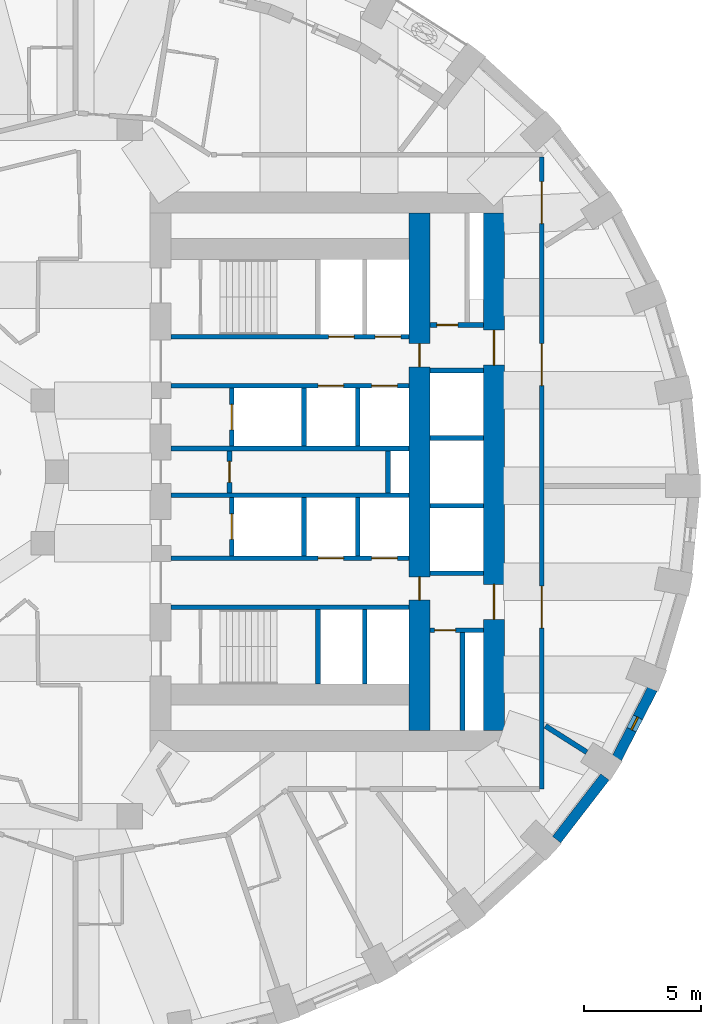
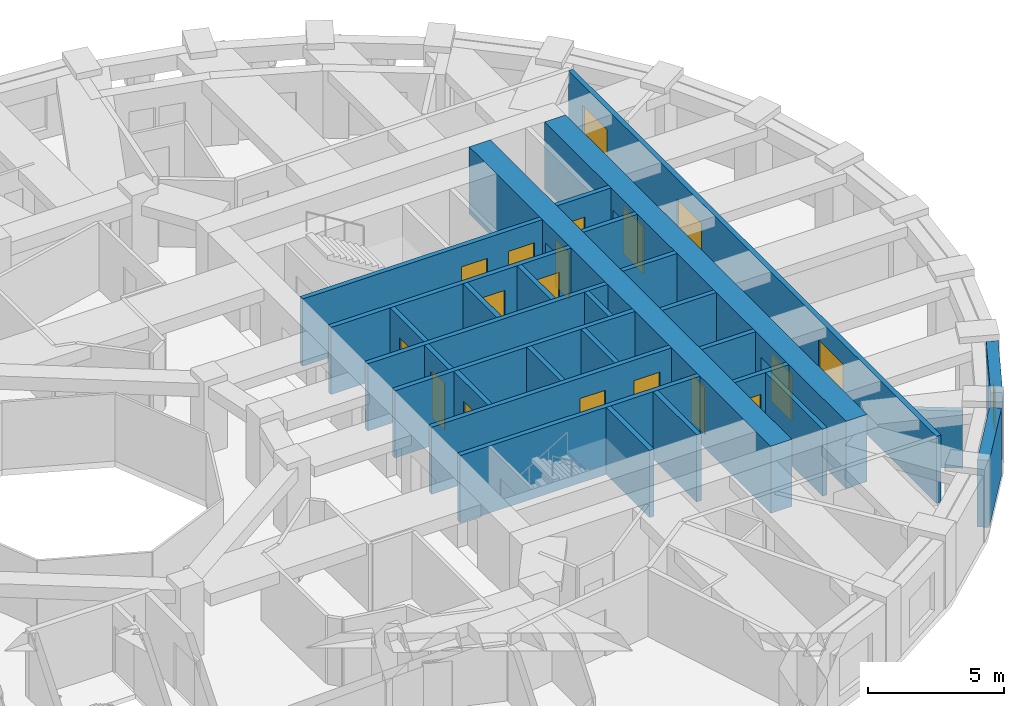
# One storey, part 6 of 12: 29 walls, 18 doors, 1 window, 19 openings.
"""IFC4 building model written with IfcOpenShell, lengths in metres."""

from ifc_helpers import new_model, si_unit, direction, frame, frame_2d, origin, place, context, subcontext, project, spatial, rectangle, extrude, material, layer, layer_set, type_object, element, fill, save


model = new_model("IFC4")

# Units and contexts
model_context = context("Model", 3, precision=1e-05, world=origin(), true_north=direction((0.0, 1.0)))
body_context = subcontext(model_context, "Body", "Model", "MODEL_VIEW")
ifc_project = project(units=[si_unit("LENGTHUNIT", "METRE"), si_unit("AREAUNIT", "SQUARE_METRE"), si_unit("VOLUMEUNIT", "CUBIC_METRE"), si_unit("PLANEANGLEUNIT", "RADIAN"), si_unit("MASSUNIT", "GRAM", prefix="KILO")], contexts=[model_context])

# Site, building, storey
site_placement = place(None, origin())
site = spatial("IfcSite", under=ifc_project, at=site_placement, CompositionType="ELEMENT")
building_placement = place(site_placement, origin())
building = spatial("IfcBuilding", under=site, at=building_placement, Name="Taillehof Tower", CompositionType="ELEMENT")
storey_placement = place(building_placement, frame((0.0, 0.0, 98.800048828125)))
storey = spatial("IfcBuildingStorey", under=building, at=storey_placement, Name="L27", CompositionType="ELEMENT", Elevation=98.800048828125)

# Wall
ifc_material_1 = material(Name="Brick masonry", Category="masonry")
ifc_layer_1 = layer(ifc_material_1, 0.449951171875)
ifc_layer_set_1 = layer_set([ifc_layer_1], Name="Brick infill wall 450")
wall_type_1 = type_object("IfcWallType", Name="Brick infill wall 450", PredefinedType="SOLIDWALL", material=ifc_layer_set_1)
wall_1_placement = place(storey_placement, frame((21.43505859375, -15.775390625, 0.0), z_axis=(0.0, 0.0, 1.0), x_axis=(0.610693945156, 0.791866721961, 0.0)))
element("IfcWall", 1, at=wall_1_placement, inside=storey, type_object=wall_type_1, Name="Brick wall L27 bay 33", PredefinedType="SOLIDWALL", context=body_context, shape_type="SweptSolid", body=[
    extrude(rectangle(XDim=3.39453125, YDim=0.449951171875, at=frame_2d((1.697265625, 0.0))), origin(), (0.0, 0.0, 1.0), 3.02001953125),
])

# Wall, opening, window
wall_2_placement = place(storey_placement, frame((24.022705078125, -12.27685546875, 0.0), z_axis=(0.0, 0.0, 1.0), x_axis=(0.456828186229, 0.889554949549, 0.0)))
wall_2 = element("IfcWall", 2, at=wall_2_placement, inside=storey, type_object=wall_type_1, Name="Brick wall L27 bay 34", PredefinedType="SOLIDWALL", context=body_context, shape_type="SweptSolid", body=[
    extrude(rectangle(XDim=3.332763671875, YDim=0.449951171875, at=frame_2d((1.66650390625, 0.0))), origin(), (0.0, 0.0, 1.0), 3.02001953125),
])
opening_1_placement = place(wall_2_placement, frame((1.366455078125, 0.0, 0.39990234375)))
opening_1 = element("IfcOpeningElement", 3, at=opening_1_placement, cuts=wall_2, Name="Opening W6", PredefinedType="OPENING", context=body_context, shape_type="SweptSolid", body=[
    extrude(rectangle(XDim=0.60009765625, YDim=1.75, at=frame_2d((0.300048828125, 0.875))), frame((0.0, 0.23486328125, 0.0), z_axis=(0.0, -1.0, 0.0), x_axis=(1.0, 0.0, 0.0)), (0.0, 0.0, 1.0), 0.469970703125),
])
ifc_material_2 = material(Name="Aluminium window frame with clear double glazing", Category="aluminium")
window_type = type_object("IfcWindowType", Name="Slot window 600x1750", PartitioningType="SINGLE_PANEL", PredefinedType="WINDOW", material=ifc_material_2)
window_placement = place(opening_1_placement, origin())
window = element("IfcWindow", 4, at=window_placement, inside=storey, type_object=window_type, Name="W6", OverallHeight=1.75, OverallWidth=0.60009765625, PartitioningType="SINGLE_PANEL", PredefinedType="WINDOW", context=body_context, shape_type="SweptSolid", body=[
    extrude(rectangle(XDim=0.60009765625, YDim=1.75, at=frame_2d((0.300048828125, 0.875))), frame((0.0, 0.034912109375, 0.0), z_axis=(0.0, -1.0, 0.0), x_axis=(1.0, 0.0, 0.0)), (0.0, 0.0, 1.0), 0.06005859375),
])
fill(opening_1, window)

# Wall, opening, door
ifc_material_3 = material(Name="Calcium silicate masonry", Category="masonry")
ifc_layer_2 = layer(ifc_material_3, 0.199951171875)
ifc_layer_set_2 = layer_set([ifc_layer_2], Name="Compartment wall calcium silicate 200")
wall_type_2 = type_object("IfcWallType", Name="Compartment wall calcium silicate 200", PredefinedType="PARTITIONING", material=ifc_layer_set_2)
wall_3_placement = place(storey_placement, frame((7.39990234375, -0.89990234375, 0.0), z_axis=(0.0, 0.0, 1.0), x_axis=(0.0, 1.0, 0.0)))
wall_3 = element("IfcWall", 5, at=wall_3_placement, inside=storey, type_object=wall_type_2, Name="Compartment wall FW", PredefinedType="PARTITIONING", context=body_context, shape_type="SweptSolid", body=[
    extrude(rectangle(XDim=1.7998046875, YDim=0.199951171875, at=frame_2d((0.89990234375, 0.0))), origin(), (0.0, 0.0, 1.0), 3.02001953125),
])
opening_2_placement = place(wall_3_placement, frame((0.449951171875, 0.0, 0.0)))
opening_2 = element("IfcOpeningElement", 6, at=opening_2_placement, cuts=wall_3, Name="Opening D2714", PredefinedType="OPENING", context=body_context, shape_type="SweptSolid", body=[
    extrude(rectangle(XDim=0.89990234375, YDim=2.10009765625, at=frame_2d((0.449951171875, 1.050048828125))), frame((0.0, 0.10986328125, 0.0), z_axis=(0.0, -1.0, 0.0), x_axis=(1.0, 0.0, 0.0)), (0.0, 0.0, 1.0), 0.219970703125),
])
ifc_material_4 = material(Name="Steel-faced fire door", Category="steel")
door_type_1 = type_object("IfcDoorType", Name="Riser and service room door 900x2100", OperationType="SINGLE_SWING_LEFT", PredefinedType="DOOR", material=ifc_material_4)
door_1_placement = place(opening_2_placement, origin())
door_1 = element("IfcDoor", 7, at=door_1_placement, inside=storey, type_object=door_type_1, Name="Door Fire Safety Store", OperationType="SINGLE_SWING_RIGHT", OverallHeight=2.10009765625, OverallWidth=0.89990234375, PredefinedType="DOOR", context=body_context, shape_type="SweptSolid", body=[
    extrude(rectangle(XDim=0.89990234375, YDim=2.10009765625, at=frame_2d((0.449951171875, 1.050048828125))), frame((0.0, 0.02490234375, 0.0), z_axis=(0.0, -1.0, 0.0), x_axis=(1.0, 0.0, 0.0)), (0.0, 0.0, 1.0), 0.050048828125),
])
fill(opening_2, door_1)

# Wall
wall_4_placement = place(storey_placement, frame((14.199951171875, -0.89990234375, 0.0), z_axis=(0.0, 0.0, 1.0), x_axis=(0.0, 1.0, 0.0)))
element("IfcWall", 8, at=wall_4_placement, inside=storey, type_object=wall_type_2, Name="Compartment wall FW", PredefinedType="PARTITIONING", context=body_context, shape_type="SweptSolid", body=[
    extrude(rectangle(XDim=1.7998046875, YDim=0.199951171875, at=frame_2d((0.89990234375, 0.0))), origin(), (0.0, 0.0, 1.0), 3.02001953125),
])

# Wall, opening, door
wall_5_placement = place(storey_placement, frame((16.0, 6.300048828125, 0.0), z_axis=(0.0, 0.0, 1.0), x_axis=(1.0, 0.0, 0.0)))
wall_5 = element("IfcWall", 9, at=wall_5_placement, inside=storey, type_object=wall_type_2, Name="Compartment wall FW", PredefinedType="PARTITIONING", context=body_context, shape_type="SweptSolid", body=[
    extrude(rectangle(XDim=2.300048828125, YDim=0.199951171875, at=frame_2d((1.14990234375, 0.0))), origin(), (0.0, 0.0, 1.0), 3.02001953125),
])
opening_3_placement = place(wall_5_placement, frame((0.300048828125, 0.0, 0.0)))
opening_3 = element("IfcOpeningElement", 10, at=opening_3_placement, cuts=wall_5, Name="Opening D2716", PredefinedType="OPENING", context=body_context, shape_type="SweptSolid", body=[
    extrude(rectangle(XDim=0.89990234375, YDim=2.10009765625, at=frame_2d((0.449951171875, 1.050048828125))), frame((0.0, 0.10986328125, 0.0), z_axis=(0.0, -1.0, 0.0), x_axis=(1.0, 0.0, 0.0)), (0.0, 0.0, 1.0), 0.219970703125),
])
door_2_placement = place(opening_3_placement, origin())
door_2 = element("IfcDoor", 11, at=door_2_placement, inside=storey, type_object=door_type_1, Name="Door Ice Room", OperationType="SINGLE_SWING_RIGHT", OverallHeight=2.10009765625, OverallWidth=0.89990234375, PredefinedType="DOOR", context=body_context, shape_type="SweptSolid", body=[
    extrude(rectangle(XDim=0.89990234375, YDim=2.10009765625, at=frame_2d((0.449951171875, 1.050048828125))), frame((0.0, 0.02490234375, 0.0), z_axis=(0.0, -1.0, 0.0), x_axis=(1.0, 0.0, 0.0)), (0.0, 0.0, 1.0), 0.050048828125),
])
fill(opening_3, door_2)

wall_6_placement = place(storey_placement, frame((16.0, -6.800048828125, 0.0), z_axis=(0.0, 0.0, 1.0), x_axis=(1.0, 0.0, 0.0)))
wall_6 = element("IfcWall", 12, at=wall_6_placement, inside=storey, type_object=wall_type_2, Name="Compartment wall FW", PredefinedType="PARTITIONING", context=body_context, shape_type="SweptSolid", body=[
    extrude(rectangle(XDim=2.300048828125, YDim=0.199951171875, at=frame_2d((1.14990234375, 0.0))), origin(), (0.0, 0.0, 1.0), 3.02001953125),
])
opening_4_placement = place(wall_6_placement, frame((0.199951171875, 0.0, 0.0)))
opening_4 = element("IfcOpeningElement", 13, at=opening_4_placement, cuts=wall_6, Name="Opening D2718", PredefinedType="OPENING", context=body_context, shape_type="SweptSolid", body=[
    extrude(rectangle(XDim=0.89990234375, YDim=2.10009765625, at=frame_2d((0.449951171875, 1.050048828125))), frame((0.0, 0.10986328125, 0.0), z_axis=(0.0, -1.0, 0.0), x_axis=(1.0, 0.0, 0.0)), (0.0, 0.0, 1.0), 0.219970703125),
])
door_3_placement = place(opening_4_placement, origin())
door_3 = element("IfcDoor", 14, at=door_3_placement, inside=storey, type_object=door_type_1, Name="Door Battery Room", OperationType="SINGLE_SWING_LEFT", OverallHeight=2.10009765625, OverallWidth=0.89990234375, PredefinedType="DOOR", context=body_context, shape_type="SweptSolid", body=[
    extrude(rectangle(XDim=0.89990234375, YDim=2.10009765625, at=frame_2d((0.449951171875, 1.050048828125))), frame((0.0, 0.02490234375, 0.0), z_axis=(0.0, -1.0, 0.0), x_axis=(1.0, 0.0, 0.0)), (0.0, 0.0, 1.0), 0.050048828125),
])
fill(opening_4, door_3)

# Wall
wall_7_placement = place(storey_placement, frame((17.39990234375, -11.10009765625, 0.0), z_axis=(0.0, 0.0, 1.0), x_axis=(0.0, 1.0, 0.0)))
element("IfcWall", 15, at=wall_7_placement, inside=storey, type_object=wall_type_2, Name="Compartment wall FW", PredefinedType="PARTITIONING", context=body_context, shape_type="SweptSolid", body=[
    extrude(rectangle(XDim=4.2001953125, YDim=0.199951171875, at=frame_2d((2.10009765625, 0.0))), origin(), (0.0, 0.0, 1.0), 3.02001953125),
])

# Wall, openings, doors
ifc_material_5 = material(Name="Gypsum board on steel studs, two layers each side", Category="steel")
ifc_layer_3 = layer(ifc_material_5, 0.199951171875)
ifc_layer_set_3 = layer_set([ifc_layer_3], Name="Compartment wall corridor 200")
wall_type_3 = type_object("IfcWallType", Name="Compartment wall corridor 200", PredefinedType="PARTITIONING", material=ifc_layer_set_3)
wall_8_placement = place(storey_placement, frame((20.800048828125, 13.5, 0.0), z_axis=(0.0, 0.0, 1.0), x_axis=(0.0, -1.0, 0.0)))
wall_8 = element("IfcWall", 16, at=wall_8_placement, inside=storey, type_object=wall_type_3, Name="Compartment wall", PredefinedType="PARTITIONING", context=body_context, shape_type="SweptSolid", body=[
    extrude(rectangle(XDim=27.10009765625, YDim=0.199951171875, at=frame_2d((13.550048828125, 0.0))), origin(), (0.0, 0.0, 1.0), 3.02001953125),
])
opening_5_placement = place(wall_8_placement, frame((18.404052734375, 0.0, 0.0)))
opening_5 = element("IfcOpeningElement", 17, at=opening_5_placement, cuts=wall_8, Name="Opening D2762", PredefinedType="OPENING", context=body_context, shape_type="SweptSolid", body=[
    extrude(rectangle(XDim=1.800048828125, YDim=2.10009765625, at=frame_2d((0.89990234375, 1.050048828125))), frame((0.0, 0.10986328125, 0.0), z_axis=(0.0, -1.0, 0.0), x_axis=(1.0, 0.0, 0.0)), (0.0, 0.0, 1.0), 0.219970703125),
])
opening_6_placement = place(wall_8_placement, frame((7.99609375, 0.0, 0.0)))
opening_6 = element("IfcOpeningElement", 18, at=opening_6_placement, cuts=wall_8, Name="Opening D2763", PredefinedType="OPENING", context=body_context, shape_type="SweptSolid", body=[
    extrude(rectangle(XDim=1.800048828125, YDim=2.10009765625, at=frame_2d((0.89990234375, 1.050048828125))), frame((0.0, 0.10986328125, 0.0), z_axis=(0.0, -1.0, 0.0), x_axis=(1.0, 0.0, 0.0)), (0.0, 0.0, 1.0), 0.219970703125),
])
opening_7_placement = place(wall_8_placement, frame((1.05517578125, 0.0, 0.0)))
opening_7 = element("IfcOpeningElement", 19, at=opening_7_placement, cuts=wall_8, Name="Opening D2764", PredefinedType="OPENING", context=body_context, shape_type="SweptSolid", body=[
    extrude(rectangle(XDim=1.800048828125, YDim=2.10009765625, at=frame_2d((0.89990234375, 1.050048828125))), frame((0.0, 0.10986328125, 0.0), z_axis=(0.0, -1.0, 0.0), x_axis=(1.0, 0.0, 0.0)), (0.0, 0.0, 1.0), 0.219970703125),
])
ifc_material_6 = material(Name="Timber door leaf in steel frame", Category="steel")
door_type_2 = type_object("IfcDoorType", Name="Lounge and meeting room double door EI 30 1800 x 2100", OperationType="SINGLE_SWING_LEFT", PredefinedType="DOOR", material=ifc_material_6)
door_4_placement = place(opening_5_placement, origin())
door_4 = element("IfcDoor", 20, at=door_4_placement, inside=storey, type_object=door_type_2, Name="D2762", OperationType="DOUBLE_DOOR_SINGLE_SWING", OverallHeight=2.10009765625, OverallWidth=1.800048828125, PredefinedType="DOOR", context=body_context, shape_type="SweptSolid", body=[
    extrude(rectangle(XDim=1.800048828125, YDim=2.10009765625, at=frame_2d((0.89990234375, 1.050048828125))), frame((0.0, 0.02490234375, 0.0), z_axis=(0.0, -1.0, 0.0), x_axis=(1.0, 0.0, 0.0)), (0.0, 0.0, 1.0), 0.050048828125),
])
fill(opening_5, door_4)
door_5_placement = place(opening_6_placement, origin())
door_5 = element("IfcDoor", 21, at=door_5_placement, inside=storey, type_object=door_type_2, Name="D2763", OperationType="DOUBLE_DOOR_SINGLE_SWING", OverallHeight=2.10009765625, OverallWidth=1.800048828125, PredefinedType="DOOR", context=body_context, shape_type="SweptSolid", body=[
    extrude(rectangle(XDim=1.800048828125, YDim=2.10009765625, at=frame_2d((0.89990234375, 1.050048828125))), frame((0.0, 0.02490234375, 0.0), z_axis=(0.0, -1.0, 0.0), x_axis=(1.0, 0.0, 0.0)), (0.0, 0.0, 1.0), 0.050048828125),
])
fill(opening_6, door_5)
door_6_placement = place(opening_7_placement, origin())
door_6 = element("IfcDoor", 22, at=door_6_placement, inside=storey, type_object=door_type_2, Name="D2764", OperationType="DOUBLE_DOOR_SINGLE_SWING", OverallHeight=2.10009765625, OverallWidth=1.800048828125, PredefinedType="DOOR", context=body_context, shape_type="SweptSolid", body=[
    extrude(rectangle(XDim=1.800048828125, YDim=2.10009765625, at=frame_2d((0.89990234375, 1.050048828125))), frame((0.0, 0.02490234375, 0.0), z_axis=(0.0, -1.0, 0.0), x_axis=(1.0, 0.0, 0.0)), (0.0, 0.0, 1.0), 0.050048828125),
])
fill(opening_7, door_6)

# Wall
ifc_material_7 = material(Name="Gypsum board on double steel studs with mineral wool", Category="steel")
ifc_layer_4 = layer(ifc_material_7, 0.219970703125)
ifc_layer_set_4 = layer_set([ifc_layer_4], Name="Compartment wall guest room 220")
wall_type_4 = type_object("IfcWallType", Name="Compartment wall guest room 220", PredefinedType="PARTITIONING", material=ifc_layer_set_4)
wall_9_placement = place(storey_placement, frame((22.7265625, -12.0234375, 0.0), z_axis=(0.0, 0.0, 1.0), x_axis=(-0.844497052188, 0.535560200954, 0.0)))
element("IfcWall", 23, at=wall_9_placement, inside=storey, type_object=wall_type_4, Name="Compartment wall", PredefinedType="PARTITIONING", context=body_context, shape_type="SweptSolid", body=[
    extrude(rectangle(XDim=2.102783203125, YDim=0.219970703125, at=frame_2d((1.05126953125, 0.0))), origin(), (0.0, 0.0, 1.0), 2.570068359375),
])

# Wall, openings, doors
ifc_material_8 = material(Name="Concrete C80/95", Category="concrete")
ifc_layer_5 = layer(ifc_material_8, 0.89990234375)
ifc_layer_set_5 = layer_set([ifc_layer_5], Name="Core wall C80/95 900")
wall_type_5 = type_object("IfcWallType", Name="Core wall C80/95 900", PredefinedType="SHEAR", material=ifc_layer_set_5)
wall_10_placement = place(storey_placement, frame((18.75, -11.10009765625, 0.0), z_axis=(0.0, 0.0, 1.0), x_axis=(0.0, 1.0, 0.0)))
wall_10 = element("IfcWall", 24, at=wall_10_placement, inside=storey, type_object=wall_type_5, Name="Core wall CW02", PredefinedType="SHEAR", context=body_context, shape_type="SweptSolid", body=[
    extrude(rectangle(XDim=22.2001953125, YDim=0.89990234375, at=frame_2d((11.10009765625, 0.0))), origin(), (0.0, 0.0, 1.0), 3.02001953125),
])
opening_8_placement = place(wall_10_placement, frame((15.675048828125, 0.0, 0.0)))
opening_8 = element("IfcOpeningElement", 25, at=opening_8_placement, cuts=wall_10, Name="Opening D2708", PredefinedType="OPENING", context=body_context, shape_type="SweptSolid", body=[
    extrude(rectangle(XDim=1.5, YDim=2.10009765625, at=frame_2d((0.75, 1.050048828125))), frame((0.0, 0.4599609375, 0.0), z_axis=(0.0, -1.0, 0.0), x_axis=(1.0, 0.0, 0.0)), (0.0, 0.0, 1.0), 0.919921875),
])
opening_9_placement = place(wall_10_placement, frame((4.77490234375, 0.0, 0.0)))
opening_9 = element("IfcOpeningElement", 26, at=opening_9_placement, cuts=wall_10, Name="Opening D2709", PredefinedType="OPENING", context=body_context, shape_type="SweptSolid", body=[
    extrude(rectangle(XDim=1.5, YDim=2.10009765625, at=frame_2d((0.75, 1.050048828125))), frame((0.0, 0.4599609375, 0.0), z_axis=(0.0, -1.0, 0.0), x_axis=(1.0, 0.0, 0.0)), (0.0, 0.0, 1.0), 0.919921875),
])
ifc_material_9 = material(Name="Steel-faced fire door", Category="steel")
door_type_3 = type_object("IfcDoorType", Name="Lift lobby east door 1500x2100", OperationType="DOUBLE_DOOR_SINGLE_SWING", PredefinedType="DOOR", material=ifc_material_9)
door_7_placement = place(opening_8_placement, origin())
door_7 = element("IfcDoor", 27, at=door_7_placement, inside=storey, type_object=door_type_3, Name="Lift lobby east door north", OperationType="DOUBLE_DOOR_SINGLE_SWING", OverallHeight=2.10009765625, OverallWidth=1.5, PredefinedType="DOOR", context=body_context, shape_type="SweptSolid", body=[
    extrude(rectangle(XDim=1.5, YDim=2.10009765625, at=frame_2d((0.75, 1.050048828125))), frame((0.0, 0.02490234375, 0.0), z_axis=(0.0, -1.0, 0.0), x_axis=(1.0, 0.0, 0.0)), (0.0, 0.0, 1.0), 0.050048828125),
])
fill(opening_8, door_7)
door_8_placement = place(opening_9_placement, origin())
door_8 = element("IfcDoor", 28, at=door_8_placement, inside=storey, type_object=door_type_3, Name="Lift lobby east door south", OperationType="DOUBLE_DOOR_SINGLE_SWING", OverallHeight=2.10009765625, OverallWidth=1.5, PredefinedType="DOOR", context=body_context, shape_type="SweptSolid", body=[
    extrude(rectangle(XDim=1.5, YDim=2.10009765625, at=frame_2d((0.75, 1.050048828125))), frame((0.0, 0.02490234375, 0.0), z_axis=(0.0, -1.0, 0.0), x_axis=(1.0, 0.0, 0.0)), (0.0, 0.0, 1.0), 0.050048828125),
])
fill(opening_9, door_8)

wall_11_placement = place(storey_placement, frame((15.550048828125, -11.10009765625, 0.0), z_axis=(0.0, 0.0, 1.0), x_axis=(0.0, 1.0, 0.0)))
wall_11 = element("IfcWall", 29, at=wall_11_placement, inside=storey, type_object=wall_type_5, Name="Core wall CW05", PredefinedType="SHEAR", context=body_context, shape_type="SweptSolid", body=[
    extrude(rectangle(XDim=22.2001953125, YDim=0.89990234375, at=frame_2d((11.10009765625, 0.0))), origin(), (0.0, 0.0, 1.0), 3.02001953125),
])
opening_10_placement = place(wall_11_placement, frame((15.60009765625, 0.0, 0.0)))
opening_10 = element("IfcOpeningElement", 30, at=opening_10_placement, cuts=wall_11, Name="Opening D2715", PredefinedType="OPENING", context=body_context, shape_type="SweptSolid", body=[
    extrude(rectangle(XDim=1.0, YDim=2.10009765625, at=frame_2d((0.5, 1.050048828125))), frame((0.0, 0.4599609375, 0.0), z_axis=(0.0, -1.0, 0.0), x_axis=(1.0, 0.0, 0.0)), (0.0, 0.0, 1.0), 0.919921875),
])
opening_11_placement = place(wall_11_placement, frame((5.60009765625, 0.0, 0.0)))
opening_11 = element("IfcOpeningElement", 31, at=opening_11_placement, cuts=wall_11, Name="Opening D2717", PredefinedType="OPENING", context=body_context, shape_type="SweptSolid", body=[
    extrude(rectangle(XDim=1.0, YDim=2.10009765625, at=frame_2d((0.5, 1.050048828125))), frame((0.0, 0.4599609375, 0.0), z_axis=(0.0, -1.0, 0.0), x_axis=(1.0, 0.0, 0.0)), (0.0, 0.0, 1.0), 0.919921875),
])
ifc_material_10 = material(Name="Steel-faced fire door", Category="steel")
door_type_4 = type_object("IfcDoorType", Name="Service door 1000x2100", OperationType="SINGLE_SWING_RIGHT", PredefinedType="DOOR", material=ifc_material_10)
door_9_placement = place(opening_10_placement, origin())
door_9 = element("IfcDoor", 32, at=door_9_placement, inside=storey, type_object=door_type_4, Name="Service door strip", OperationType="SINGLE_SWING_RIGHT", OverallHeight=2.10009765625, OverallWidth=1.0, PredefinedType="DOOR", context=body_context, shape_type="SweptSolid", body=[
    extrude(rectangle(XDim=1.0, YDim=2.10009765625, at=frame_2d((0.5, 1.050048828125))), frame((0.0, 0.02490234375, 0.0), z_axis=(0.0, -1.0, 0.0), x_axis=(1.0, 0.0, 0.0)), (0.0, 0.0, 1.0), 0.050048828125),
])
fill(opening_10, door_9)
door_10_placement = place(opening_11_placement, origin())
door_10 = element("IfcDoor", 33, at=door_10_placement, inside=storey, type_object=door_type_4, Name="Service door strip", OperationType="SINGLE_SWING_LEFT", OverallHeight=2.10009765625, OverallWidth=1.0, PredefinedType="DOOR", context=body_context, shape_type="SweptSolid", body=[
    extrude(rectangle(XDim=1.0, YDim=2.10009765625, at=frame_2d((0.5, 1.050048828125))), frame((0.0, 0.02490234375, 0.0), z_axis=(0.0, -1.0, 0.0), x_axis=(1.0, 0.0, 0.0)), (0.0, 0.0, 1.0), 0.050048828125),
])
fill(opening_11, door_10)

ifc_material_11 = material(Name="Concrete C50/60", Category="concrete")
ifc_layer_6 = layer(ifc_material_11, 0.199951171875)
ifc_layer_set_6 = layer_set([ifc_layer_6], Name="Shaft wall C50/60 200")
wall_type_6 = type_object("IfcWallType", Name="Shaft wall C50/60 200", PredefinedType="SHEAR", material=ifc_layer_set_6)
wall_12_placement = place(storey_placement, frame((4.89990234375, 5.800048828125, 0.0), z_axis=(0.0, 0.0, 1.0), x_axis=(1.0, 0.0, 0.0)))
wall_12 = element("IfcWall", 34, at=wall_12_placement, inside=storey, type_object=wall_type_6, Name="Shaft wall SW", PredefinedType="SHEAR", context=body_context, shape_type="SweptSolid", body=[
    extrude(rectangle(XDim=10.2001953125, YDim=0.199951171875, at=frame_2d((5.10009765625, 0.0))), origin(), (0.0, 0.0, 1.0), 3.02001953125),
])
opening_12_placement = place(wall_12_placement, frame((6.75, 0.0, 0.0)))
opening_12 = element("IfcOpeningElement", 35, at=opening_12_placement, cuts=wall_12, Name="Opening LD1", PredefinedType="OPENING", context=body_context, shape_type="SweptSolid", body=[
    extrude(rectangle(XDim=1.10009765625, YDim=2.10009765625, at=frame_2d((0.550048828125, 1.050048828125))), frame((0.0, 0.10986328125, 0.0), z_axis=(0.0, -1.0, 0.0), x_axis=(1.0, 0.0, 0.0)), (0.0, 0.0, 1.0), 0.219970703125),
])
opening_13_placement = place(wall_12_placement, frame((8.75, 0.0, 0.0)))
opening_13 = element("IfcOpeningElement", 36, at=opening_13_placement, cuts=wall_12, Name="Opening LD1", PredefinedType="OPENING", context=body_context, shape_type="SweptSolid", body=[
    extrude(rectangle(XDim=1.10009765625, YDim=2.10009765625, at=frame_2d((0.550048828125, 1.050048828125))), frame((0.0, 0.10986328125, 0.0), z_axis=(0.0, -1.0, 0.0), x_axis=(1.0, 0.0, 0.0)), (0.0, 0.0, 1.0), 0.219970703125),
])
ifc_material_12 = material(Name="Stainless steel", Category="steel")
door_type_5 = type_object("IfcDoorType", Name="Lift landing door LD1 1100x2100", OperationType="DOUBLE_DOOR_SLIDING", PredefinedType="DOOR", material=ifc_material_12)
door_11_placement = place(opening_12_placement, origin())
door_11 = element("IfcDoor", 37, at=door_11_placement, inside=storey, type_object=door_type_5, Name="Landing door LR1", OperationType="DOUBLE_DOOR_SLIDING", OverallHeight=2.10009765625, OverallWidth=1.10009765625, PredefinedType="DOOR", context=body_context, shape_type="SweptSolid", body=[
    extrude(rectangle(XDim=1.10009765625, YDim=2.10009765625, at=frame_2d((0.550048828125, 1.050048828125))), frame((0.0, 0.02490234375, 0.0), z_axis=(0.0, -1.0, 0.0), x_axis=(1.0, 0.0, 0.0)), (0.0, 0.0, 1.0), 0.050048828125),
])
fill(opening_12, door_11)
door_12_placement = place(opening_13_placement, origin())
door_12 = element("IfcDoor", 38, at=door_12_placement, inside=storey, type_object=door_type_5, Name="Landing door LR2", OperationType="DOUBLE_DOOR_SLIDING", OverallHeight=2.10009765625, OverallWidth=1.10009765625, PredefinedType="DOOR", context=body_context, shape_type="SweptSolid", body=[
    extrude(rectangle(XDim=1.10009765625, YDim=2.10009765625, at=frame_2d((0.550048828125, 1.050048828125))), frame((0.0, 0.02490234375, 0.0), z_axis=(0.0, -1.0, 0.0), x_axis=(1.0, 0.0, 0.0)), (0.0, 0.0, 1.0), 0.050048828125),
])
fill(opening_13, door_12)

wall_13_placement = place(storey_placement, frame((4.89990234375, 3.699951171875, 0.0), z_axis=(0.0, 0.0, 1.0), x_axis=(1.0, 0.0, 0.0)))
wall_13 = element("IfcWall", 39, at=wall_13_placement, inside=storey, type_object=wall_type_6, Name="Shaft wall SW", PredefinedType="SHEAR", context=body_context, shape_type="SweptSolid", body=[
    extrude(rectangle(XDim=10.2001953125, YDim=0.199951171875, at=frame_2d((5.10009765625, 0.0))), origin(), (0.0, 0.0, 1.0), 3.02001953125),
])
opening_14_placement = place(wall_13_placement, frame((6.300048828125, 0.0, 0.0)))
opening_14 = element("IfcOpeningElement", 40, at=opening_14_placement, cuts=wall_13, Name="Opening LD1", PredefinedType="OPENING", context=body_context, shape_type="SweptSolid", body=[
    extrude(rectangle(XDim=1.10009765625, YDim=2.10009765625, at=frame_2d((0.550048828125, 1.050048828125))), frame((0.0, 0.10986328125, 0.0), z_axis=(0.0, -1.0, 0.0), x_axis=(1.0, 0.0, 0.0)), (0.0, 0.0, 1.0), 0.219970703125),
])
opening_15_placement = place(wall_13_placement, frame((8.60009765625, 0.0, 0.0)))
opening_15 = element("IfcOpeningElement", 41, at=opening_15_placement, cuts=wall_13, Name="Opening LD1", PredefinedType="OPENING", context=body_context, shape_type="SweptSolid", body=[
    extrude(rectangle(XDim=1.10009765625, YDim=2.10009765625, at=frame_2d((0.550048828125, 1.050048828125))), frame((0.0, 0.10986328125, 0.0), z_axis=(0.0, -1.0, 0.0), x_axis=(1.0, 0.0, 0.0)), (0.0, 0.0, 1.0), 0.219970703125),
])
door_13_placement = place(opening_14_placement, origin())
door_13 = element("IfcDoor", 42, at=door_13_placement, inside=storey, type_object=door_type_5, Name="Landing door LR3", OperationType="DOUBLE_DOOR_SLIDING", OverallHeight=2.10009765625, OverallWidth=1.10009765625, PredefinedType="DOOR", context=body_context, shape_type="SweptSolid", body=[
    extrude(rectangle(XDim=1.10009765625, YDim=2.10009765625, at=frame_2d((0.550048828125, 1.050048828125))), frame((0.0, 0.02490234375, 0.0), z_axis=(0.0, -1.0, 0.0), x_axis=(1.0, 0.0, 0.0)), (0.0, 0.0, 1.0), 0.050048828125),
])
fill(opening_14, door_13)
door_14_placement = place(opening_15_placement, origin())
door_14 = element("IfcDoor", 43, at=door_14_placement, inside=storey, type_object=door_type_5, Name="Landing door LR4", OperationType="DOUBLE_DOOR_SLIDING", OverallHeight=2.10009765625, OverallWidth=1.10009765625, PredefinedType="DOOR", context=body_context, shape_type="SweptSolid", body=[
    extrude(rectangle(XDim=1.10009765625, YDim=2.10009765625, at=frame_2d((0.550048828125, 1.050048828125))), frame((0.0, 0.02490234375, 0.0), z_axis=(0.0, -1.0, 0.0), x_axis=(1.0, 0.0, 0.0)), (0.0, 0.0, 1.0), 0.050048828125),
])
fill(opening_15, door_14)

# Walls
for number, where, z_axis, x_axis, name in (
    (44, (4.89990234375, 1.0, 0.0), (0.0, 0.0, 1.0), (1.0, 0.0, 0.0), "Shaft wall SW"),
    (45, (4.89990234375, -1.0, 0.0), (0.0, 0.0, 1.0), (1.0, 0.0, 0.0), "Shaft wall SW"),
):
    element("IfcWall", number, at=place(storey_placement, frame(where, z_axis=z_axis, x_axis=x_axis)), inside=storey, type_object=wall_type_6, Name=name, PredefinedType="SHEAR", context=body_context, shape_type="SweptSolid", body=[
        extrude(rectangle(XDim=10.2001953125, YDim=0.199951171875, at=frame_2d((5.10009765625, 0.0))), origin(), (0.0, 0.0, 1.0), 3.02001953125),
    ])

# Wall, openings, doors
wall_14_placement = place(storey_placement, frame((4.89990234375, -3.699951171875, 0.0), z_axis=(0.0, 0.0, 1.0), x_axis=(1.0, 0.0, 0.0)))
wall_14 = element("IfcWall", 46, at=wall_14_placement, inside=storey, type_object=wall_type_6, Name="Shaft wall SW", PredefinedType="SHEAR", context=body_context, shape_type="SweptSolid", body=[
    extrude(rectangle(XDim=10.2001953125, YDim=0.199951171875, at=frame_2d((5.10009765625, 0.0))), origin(), (0.0, 0.0, 1.0), 3.02001953125),
])
opening_16_placement = place(wall_14_placement, frame((6.300048828125, 0.0, 0.0)))
opening_16 = element("IfcOpeningElement", 47, at=opening_16_placement, cuts=wall_14, Name="Opening LD1", PredefinedType="OPENING", context=body_context, shape_type="SweptSolid", body=[
    extrude(rectangle(XDim=1.10009765625, YDim=2.10009765625, at=frame_2d((0.550048828125, 1.050048828125))), frame((0.0, 0.10986328125, 0.0), z_axis=(0.0, -1.0, 0.0), x_axis=(1.0, 0.0, 0.0)), (0.0, 0.0, 1.0), 0.219970703125),
])
opening_17_placement = place(wall_14_placement, frame((8.60009765625, 0.0, 0.0)))
opening_17 = element("IfcOpeningElement", 48, at=opening_17_placement, cuts=wall_14, Name="Opening LD1", PredefinedType="OPENING", context=body_context, shape_type="SweptSolid", body=[
    extrude(rectangle(XDim=1.10009765625, YDim=2.10009765625, at=frame_2d((0.550048828125, 1.050048828125))), frame((0.0, 0.10986328125, 0.0), z_axis=(0.0, -1.0, 0.0), x_axis=(1.0, 0.0, 0.0)), (0.0, 0.0, 1.0), 0.219970703125),
])
door_15_placement = place(opening_16_placement, origin())
door_15 = element("IfcDoor", 49, at=door_15_placement, inside=storey, type_object=door_type_5, Name="Landing door LR5", OperationType="DOUBLE_DOOR_SLIDING", OverallHeight=2.10009765625, OverallWidth=1.10009765625, PredefinedType="DOOR", context=body_context, shape_type="SweptSolid", body=[
    extrude(rectangle(XDim=1.10009765625, YDim=2.10009765625, at=frame_2d((0.550048828125, 1.050048828125))), frame((0.0, 0.02490234375, 0.0), z_axis=(0.0, -1.0, 0.0), x_axis=(1.0, 0.0, 0.0)), (0.0, 0.0, 1.0), 0.050048828125),
])
fill(opening_16, door_15)
door_16_placement = place(opening_17_placement, origin())
door_16 = element("IfcDoor", 50, at=door_16_placement, inside=storey, type_object=door_type_5, Name="Landing door LR6", OperationType="DOUBLE_DOOR_SLIDING", OverallHeight=2.10009765625, OverallWidth=1.10009765625, PredefinedType="DOOR", context=body_context, shape_type="SweptSolid", body=[
    extrude(rectangle(XDim=1.10009765625, YDim=2.10009765625, at=frame_2d((0.550048828125, 1.050048828125))), frame((0.0, 0.02490234375, 0.0), z_axis=(0.0, -1.0, 0.0), x_axis=(1.0, 0.0, 0.0)), (0.0, 0.0, 1.0), 0.050048828125),
])
fill(opening_17, door_16)

# Walls
wall_15_placement = place(storey_placement, frame((4.89990234375, -5.800048828125, 0.0), z_axis=(0.0, 0.0, 1.0), x_axis=(1.0, 0.0, 0.0)))
element("IfcWall", 51, at=wall_15_placement, inside=storey, type_object=wall_type_6, Name="Shaft wall SW", PredefinedType="SHEAR", context=body_context, shape_type="SweptSolid", body=[
    extrude(rectangle(XDim=10.2001953125, YDim=0.199951171875, at=frame_2d((5.10009765625, 0.0))), origin(), (0.0, 0.0, 1.0), 3.02001953125),
])
for number, where, z_axis, x_axis, name in (
    (52, (11.199951171875, -9.10009765625, 0.0), (0.0, 0.0, 1.0), (0.0, 1.0, 0.0), "Shaft wall SW"),
    (53, (13.199951171875, -9.10009765625, 0.0), (0.0, 0.0, 1.0), (0.0, 1.0, 0.0), "Shaft wall SW"),
):
    element("IfcWall", number, at=place(storey_placement, frame(where, z_axis=z_axis, x_axis=x_axis)), inside=storey, type_object=wall_type_6, Name=name, PredefinedType="SHEAR", context=body_context, shape_type="SweptSolid", body=[
        extrude(rectangle(XDim=3.2001953125, YDim=0.199951171875, at=frame_2d((1.60009765625, 0.0))), origin(), (0.0, 0.0, 1.0), 3.02001953125),
    ])

# Wall, opening, door
wall_16_placement = place(storey_placement, frame((7.5, 1.10009765625, 0.0), z_axis=(0.0, 0.0, 1.0), x_axis=(0.0, 1.0, 0.0)))
wall_16 = element("IfcWall", 54, at=wall_16_placement, inside=storey, type_object=wall_type_6, Name="Shaft wall SW", PredefinedType="SHEAR", context=body_context, shape_type="SweptSolid", body=[
    extrude(rectangle(XDim=2.5, YDim=0.199951171875, at=frame_2d((1.25, 0.0))), origin(), (0.0, 0.0, 1.0), 3.02001953125),
])
opening_18_placement = place(wall_16_placement, frame((0.699951171875, 0.0, 0.0)))
opening_18 = element("IfcOpeningElement", 55, at=opening_18_placement, cuts=wall_16, Name="Opening LD1", PredefinedType="OPENING", context=body_context, shape_type="SweptSolid", body=[
    extrude(rectangle(XDim=1.10009765625, YDim=2.10009765625, at=frame_2d((0.550048828125, 1.050048828125))), frame((0.0, 0.10986328125, 0.0), z_axis=(0.0, -1.0, 0.0), x_axis=(1.0, 0.0, 0.0)), (0.0, 0.0, 1.0), 0.219970703125),
])
door_17_placement = place(opening_18_placement, origin())
door_17 = element("IfcDoor", 56, at=door_17_placement, inside=storey, type_object=door_type_5, Name="Landing door FF1", OperationType="DOUBLE_DOOR_SLIDING", OverallHeight=2.10009765625, OverallWidth=1.10009765625, PredefinedType="DOOR", context=body_context, shape_type="SweptSolid", body=[
    extrude(rectangle(XDim=1.10009765625, YDim=2.10009765625, at=frame_2d((0.550048828125, 1.050048828125))), frame((0.0, 0.02490234375, 0.0), z_axis=(0.0, -1.0, 0.0), x_axis=(1.0, 0.0, 0.0)), (0.0, 0.0, 1.0), 0.050048828125),
])
fill(opening_18, door_17)

wall_17_placement = place(storey_placement, frame((7.5, -3.60009765625, 0.0), z_axis=(0.0, 0.0, 1.0), x_axis=(0.0, 1.0, 0.0)))
wall_17 = element("IfcWall", 57, at=wall_17_placement, inside=storey, type_object=wall_type_6, Name="Shaft wall SW", PredefinedType="SHEAR", context=body_context, shape_type="SweptSolid", body=[
    extrude(rectangle(XDim=2.5, YDim=0.199951171875, at=frame_2d((1.25, 0.0))), origin(), (0.0, 0.0, 1.0), 3.02001953125),
])
opening_19_placement = place(wall_17_placement, frame((0.699951171875, 0.0, 0.0)))
opening_19 = element("IfcOpeningElement", 58, at=opening_19_placement, cuts=wall_17, Name="Opening LD1", PredefinedType="OPENING", context=body_context, shape_type="SweptSolid", body=[
    extrude(rectangle(XDim=1.10009765625, YDim=2.10009765625, at=frame_2d((0.550048828125, 1.050048828125))), frame((0.0, 0.10986328125, 0.0), z_axis=(0.0, -1.0, 0.0), x_axis=(1.0, 0.0, 0.0)), (0.0, 0.0, 1.0), 0.219970703125),
])
door_18_placement = place(opening_19_placement, origin())
door_18 = element("IfcDoor", 59, at=door_18_placement, inside=storey, type_object=door_type_5, Name="Landing door FF2", OperationType="DOUBLE_DOOR_SLIDING", OverallHeight=2.10009765625, OverallWidth=1.10009765625, PredefinedType="DOOR", context=body_context, shape_type="SweptSolid", body=[
    extrude(rectangle(XDim=1.10009765625, YDim=2.10009765625, at=frame_2d((0.550048828125, 1.050048828125))), frame((0.0, 0.02490234375, 0.0), z_axis=(0.0, -1.0, 0.0), x_axis=(1.0, 0.0, 0.0)), (0.0, 0.0, 1.0), 0.050048828125),
])
fill(opening_19, door_18)

# Walls
for number, where, z_axis, x_axis, name in (
    (60, (10.60009765625, 1.10009765625, 0.0), (0.0, 0.0, 1.0), (0.0, 1.0, 0.0), "Shaft wall SW"),
    (61, (10.60009765625, -3.60009765625, 0.0), (0.0, 0.0, 1.0), (0.0, 1.0, 0.0), "Shaft wall SW"),
    (62, (12.89990234375, 1.10009765625, 0.0), (0.0, 0.0, 1.0), (0.0, 1.0, 0.0), "Shaft wall SW"),
    (63, (12.89990234375, -3.60009765625, 0.0), (0.0, 0.0, 1.0), (0.0, 1.0, 0.0), "Shaft wall SW"),
):
    element("IfcWall", number, at=place(storey_placement, frame(where, z_axis=z_axis, x_axis=x_axis)), inside=storey, type_object=wall_type_6, Name=name, PredefinedType="SHEAR", context=body_context, shape_type="SweptSolid", body=[
        extrude(rectangle(XDim=2.5, YDim=0.199951171875, at=frame_2d((1.25, 0.0))), origin(), (0.0, 0.0, 1.0), 3.02001953125),
    ])
for number, where, z_axis, x_axis, name in (
    (64, (16.0, -4.35009765625, 0.0), (0.0, 0.0, 1.0), (1.0, 0.0, 0.0), "Shaft wall SW"),
    (65, (16.0, -1.449951171875, 0.0), (0.0, 0.0, 1.0), (1.0, 0.0, 0.0), "Shaft wall SW"),
    (66, (16.0, 1.449951171875, 0.0), (0.0, 0.0, 1.0), (1.0, 0.0, 0.0), "Shaft wall SW"),
    (67, (16.0, 4.35009765625, 0.0), (0.0, 0.0, 1.0), (1.0, 0.0, 0.0), "Shaft wall SW"),
):
    element("IfcWall", number, at=place(storey_placement, frame(where, z_axis=z_axis, x_axis=x_axis)), inside=storey, type_object=wall_type_6, Name=name, PredefinedType="SHEAR", context=body_context, shape_type="SweptSolid", body=[
        extrude(rectangle(XDim=2.300048828125, YDim=0.199951171875, at=frame_2d((1.14990234375, 0.0))), origin(), (0.0, 0.0, 1.0), 3.02001953125),
    ])

save(model, "model.ifc")
